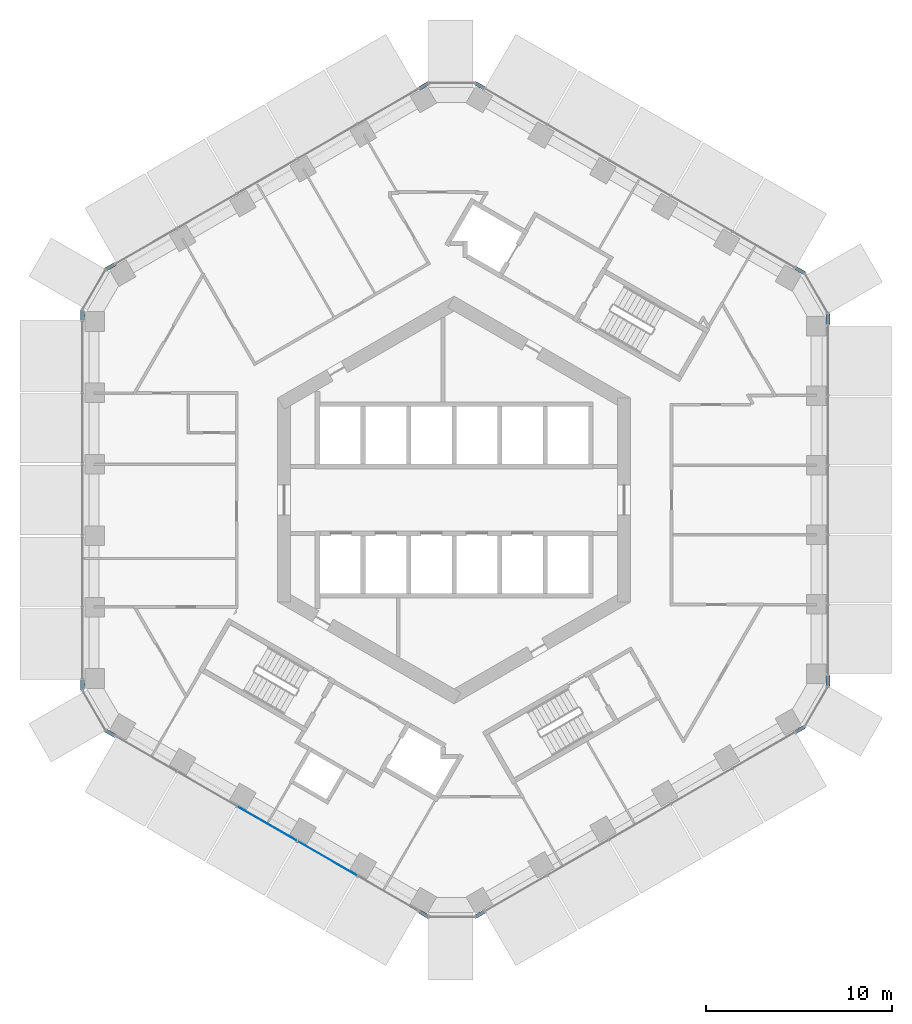
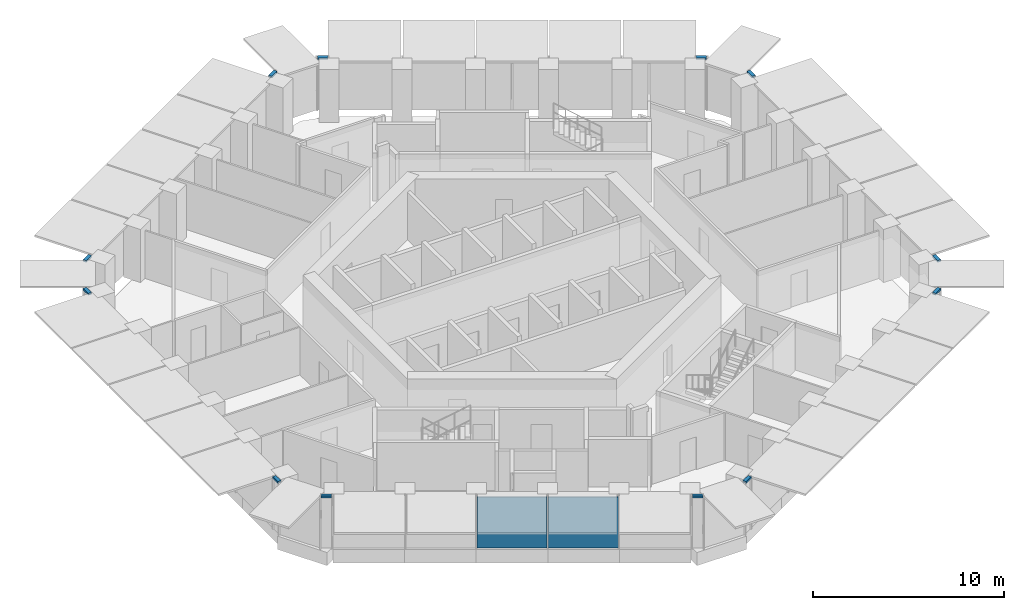
# One storey, part 7 of 18: 12 members, 2 plates, 7 elements without a shape of their own.
"""IFC4 building model written with IfcOpenShell, lengths in metres."""

from ifc_helpers import new_model, si_unit, direction, frame, origin, origin_2d, place, context, subcontext, project, spatial, rectangle, extrude, material, layer, layer_set, material_profile, profile_set, type_object, element, aggregate, save


model = new_model("IFC4")

# Units and contexts
model_context = context("Model", 3, precision=1e-05, world=origin(), true_north=direction((0.0, 1.0)))
body_context = subcontext(model_context, "Body", "Model", "MODEL_VIEW")
ifc_project = project(units=[si_unit("LENGTHUNIT", "METRE"), si_unit("AREAUNIT", "SQUARE_METRE"), si_unit("VOLUMEUNIT", "CUBIC_METRE"), si_unit("PLANEANGLEUNIT", "RADIAN"), si_unit("MASSUNIT", "GRAM", prefix="KILO")], contexts=[model_context])

# Site, building, storey
site_placement = place(None, origin())
site = spatial("IfcSite", under=ifc_project, at=site_placement, CompositionType="ELEMENT")
building_placement = place(site_placement, origin())
building = spatial("IfcBuilding", under=site, at=building_placement, Name="Ayvan Gate Tower", CompositionType="ELEMENT")
storey_placement = place(building_placement, frame((0.0, 0.0, 89.89990234375)))
storey = spatial("IfcBuildingStorey", under=building, at=storey_placement, Name="L23", CompositionType="ELEMENT", Elevation=89.89990234375)

# Curtain wall, members
ifc_material_1 = material(Name="Bronze anodised aluminium", Category="aluminium")
ifc_layer_1 = layer(ifc_material_1, 0.199951171875)
ifc_layer_set_1 = layer_set([ifc_layer_1], Name="Bronze anodised aluminium")
curtain_wall_type_1 = type_object("IfcCurtainWallType", Name="Stick curtain wall CW-6", PredefinedType="NOTDEFINED", material=ifc_layer_set_1)
curtain_wall_1_placement = place(storey_placement, origin())
curtain_wall_1 = element("IfcCurtainWall", 1, at=curtain_wall_1_placement, inside=storey, type_object=curtain_wall_type_1, Name="Stick curtain wall CW-6 L23", PredefinedType="NOTDEFINED")
ifc_material_profile = material_profile(ifc_material_1, rectangle(XDim=0.199951171875, YDim=0.1201171875, at=origin_2d()), Name="Stick curtain wall CW-6 transom 200 x 120")
ifc_profile_set = profile_set([ifc_material_profile], Name="Bronze anodised aluminium")
member_type = type_object("IfcMemberType", Name="Stick curtain wall CW-6 transom 200 x 120", PredefinedType="USERDEFINED", material=ifc_profile_set)
member_1_placement = place(storey_placement, frame((-18.250732421875, 12.6845703125, 3.340087890625), z_axis=(-0.866104278045, -0.499863360881, 0.0), x_axis=(0.499863360881, -0.866104278045, 0.0)))
member_1 = element("IfcMember", 2, at=member_1_placement, type_object=member_type, Name="CW-6 transom 1", ObjectType="TRANSOM", PredefinedType="USERDEFINED", context=body_context, shape_type="SweptSolid", body=[
    extrude(rectangle(XDim=0.199951171875, YDim=0.1201171875, at=origin_2d()), origin(), (0.0, 0.0, 1.0), 0.550048828125),
])
member_2_placement = place(storey_placement, frame((-19.991943359375, 10.21875, 3.340087890625), z_axis=(0.0, -1.0, 0.0), x_axis=(1.0, 0.0, 0.0)))
member_2 = element("IfcMember", 3, at=member_2_placement, type_object=member_type, Name="CW-6 transom 2", ObjectType="TRANSOM", PredefinedType="USERDEFINED", context=body_context, shape_type="SweptSolid", body=[
    extrude(rectangle(XDim=0.199951171875, YDim=0.1201171875, at=origin_2d()), origin(), (0.0, 0.0, 1.0), 0.550048828125),
])
aggregate(curtain_wall_1, [member_1, member_2])

curtain_wall_2_placement = place(storey_placement, origin())
curtain_wall_2 = element("IfcCurtainWall", 4, at=curtain_wall_2_placement, inside=storey, type_object=curtain_wall_type_1, Name="Stick curtain wall CW-6 L23", PredefinedType="NOTDEFINED")
member_3_placement = place(storey_placement, frame((-19.991943359375, -9.668701171875, 3.340087890625), z_axis=(0.0, -1.0, 0.0), x_axis=(1.0, 0.0, 0.0)))
member_3 = element("IfcMember", 5, at=member_3_placement, type_object=member_type, Name="CW-6 transom 1", ObjectType="TRANSOM", PredefinedType="USERDEFINED", context=body_context, shape_type="SweptSolid", body=[
    extrude(rectangle(XDim=0.199951171875, YDim=0.1201171875, at=origin_2d()), origin(), (0.0, 0.0, 1.0), 0.550048828125),
])
member_4_placement = place(storey_placement, frame((-18.72705078125, -12.40966796875, 3.340087890625), z_axis=(0.866104278045, -0.499863360881, 0.0), x_axis=(0.499863360881, 0.866104278045, 0.0)))
member_4 = element("IfcMember", 6, at=member_4_placement, type_object=member_type, Name="CW-6 transom 2", ObjectType="TRANSOM", PredefinedType="USERDEFINED", context=body_context, shape_type="SweptSolid", body=[
    extrude(rectangle(XDim=0.199951171875, YDim=0.1201171875, at=origin_2d()), origin(), (0.0, 0.0, 1.0), 0.550048828125),
])
aggregate(curtain_wall_2, [member_3, member_4])

curtain_wall_3_placement = place(storey_placement, origin())
curtain_wall_3 = element("IfcCurtainWall", 7, at=curtain_wall_3_placement, inside=storey, type_object=curtain_wall_type_1, Name="Stick curtain wall CW-6 L23", PredefinedType="NOTDEFINED")
member_5_placement = place(storey_placement, frame((-1.85986328125, -22.14794921875, 3.340087890625), z_axis=(0.866104278045, -0.499863360881, 0.0), x_axis=(0.499863360881, 0.866104278045, 0.0)))
member_5 = element("IfcMember", 8, at=member_5_placement, type_object=member_type, Name="CW-6 transom 1", ObjectType="TRANSOM", PredefinedType="USERDEFINED", context=body_context, shape_type="SweptSolid", body=[
    extrude(rectangle(XDim=0.199951171875, YDim=0.1201171875, at=origin_2d()), origin(), (0.0, 0.0, 1.0), 0.550048828125),
])
member_6_placement = place(storey_placement, frame((1.146240234375, -22.4228515625, 3.340087890625), z_axis=(0.866104278045, 0.499863360881, 0.0), x_axis=(-0.499863360881, 0.866104278045, 0.0)))
member_6 = element("IfcMember", 9, at=member_6_placement, type_object=member_type, Name="CW-6 transom 2", ObjectType="TRANSOM", PredefinedType="USERDEFINED", context=body_context, shape_type="SweptSolid", body=[
    extrude(rectangle(XDim=0.199951171875, YDim=0.1201171875, at=origin_2d()), origin(), (0.0, 0.0, 1.0), 0.550048828125),
])
aggregate(curtain_wall_3, [member_5, member_6])

curtain_wall_4_placement = place(storey_placement, origin())
curtain_wall_4 = element("IfcCurtainWall", 10, at=curtain_wall_4_placement, inside=storey, type_object=curtain_wall_type_1, Name="Stick curtain wall CW-6 L23", PredefinedType="NOTDEFINED")
member_7_placement = place(storey_placement, frame((18.369384765625, -12.47900390625, 3.340087890625), z_axis=(0.866104278045, 0.499863360881, 0.0), x_axis=(-0.499863360881, 0.866104278045, 0.0)))
member_7 = element("IfcMember", 11, at=member_7_placement, type_object=member_type, Name="CW-6 transom 1", ObjectType="TRANSOM", PredefinedType="USERDEFINED", context=body_context, shape_type="SweptSolid", body=[
    extrude(rectangle(XDim=0.199951171875, YDim=0.1201171875, at=origin_2d()), origin(), (0.0, 0.0, 1.0), 0.550048828125),
])
member_8_placement = place(storey_placement, frame((20.110595703125, -10.01318359375, 3.340087890625), z_axis=(0.0, 1.0, 0.0), x_axis=(-1.0, 0.0, 0.0)))
member_8 = element("IfcMember", 12, at=member_8_placement, type_object=member_type, Name="CW-6 transom 2", ObjectType="TRANSOM", PredefinedType="USERDEFINED", context=body_context, shape_type="SweptSolid", body=[
    extrude(rectangle(XDim=0.199951171875, YDim=0.1201171875, at=origin_2d()), origin(), (0.0, 0.0, 1.0), 0.550048828125),
])
aggregate(curtain_wall_4, [member_7, member_8])

curtain_wall_5_placement = place(storey_placement, origin())
curtain_wall_5 = element("IfcCurtainWall", 13, at=curtain_wall_5_placement, inside=storey, type_object=curtain_wall_type_1, Name="Stick curtain wall CW-6 L23", PredefinedType="NOTDEFINED")
member_9_placement = place(storey_placement, frame((20.110595703125, 9.463134765625, 3.340087890625), z_axis=(0.0, 1.0, 0.0), x_axis=(-1.0, 0.0, 0.0)))
member_9 = element("IfcMember", 14, at=member_9_placement, type_object=member_type, Name="CW-6 transom 1", ObjectType="TRANSOM", PredefinedType="USERDEFINED", context=body_context, shape_type="SweptSolid", body=[
    extrude(rectangle(XDim=0.199951171875, YDim=0.1201171875, at=origin_2d()), origin(), (0.0, 0.0, 1.0), 0.550048828125),
])
member_10_placement = place(storey_placement, frame((18.845703125, 12.2041015625, 3.340087890625), z_axis=(-0.866104278045, 0.499863360881, 0.0), x_axis=(-0.499863360881, -0.866104278045, 0.0)))
member_10 = element("IfcMember", 15, at=member_10_placement, type_object=member_type, Name="CW-6 transom 2", ObjectType="TRANSOM", PredefinedType="USERDEFINED", context=body_context, shape_type="SweptSolid", body=[
    extrude(rectangle(XDim=0.199951171875, YDim=0.1201171875, at=origin_2d()), origin(), (0.0, 0.0, 1.0), 0.550048828125),
])
aggregate(curtain_wall_5, [member_9, member_10])

curtain_wall_6_placement = place(storey_placement, origin())
curtain_wall_6 = element("IfcCurtainWall", 16, at=curtain_wall_6_placement, inside=storey, type_object=curtain_wall_type_1, Name="Stick curtain wall CW-6 L23", PredefinedType="NOTDEFINED")
member_11_placement = place(storey_placement, frame((1.62255859375, 22.14794921875, 3.340087890625), z_axis=(-0.866104278045, 0.499863360881, 0.0), x_axis=(-0.499863360881, -0.866104278045, 0.0)))
member_11 = element("IfcMember", 17, at=member_11_placement, type_object=member_type, Name="CW-6 transom 1", ObjectType="TRANSOM", PredefinedType="USERDEFINED", context=body_context, shape_type="SweptSolid", body=[
    extrude(rectangle(XDim=0.199951171875, YDim=0.1201171875, at=origin_2d()), origin(), (0.0, 0.0, 1.0), 0.550048828125),
])
member_12_placement = place(storey_placement, frame((-1.383544921875, 22.4228515625, 3.340087890625), z_axis=(-0.866104278045, -0.499863360881, 0.0), x_axis=(0.499863360881, -0.866104278045, 0.0)))
member_12 = element("IfcMember", 18, at=member_12_placement, type_object=member_type, Name="CW-6 transom 2", ObjectType="TRANSOM", PredefinedType="USERDEFINED", context=body_context, shape_type="SweptSolid", body=[
    extrude(rectangle(XDim=0.199951171875, YDim=0.1201171875, at=origin_2d()), origin(), (0.0, 0.0, 1.0), 0.550048828125),
])
aggregate(curtain_wall_6, [member_11, member_12])

# Curtain wall, plates
ifc_layer_2 = layer(ifc_material_1, 0.199951171875)
ifc_layer_set_2 = layer_set([ifc_layer_2], Name="Bronze anodised aluminium")
curtain_wall_type_2 = type_object("IfcCurtainWallType", Name="Stick curtain wall CW-1", PredefinedType="NOTDEFINED", material=ifc_layer_set_2)
curtain_wall_7_placement = place(storey_placement, origin())
curtain_wall_7 = element("IfcCurtainWall", 19, at=curtain_wall_7_placement, inside=storey, type_object=curtain_wall_type_2, Name="Stick curtain wall CW-1 L23", PredefinedType="NOTDEFINED")
ifc_material_2 = material(Name="Clear low-iron laminated glass", Category="glass")
ifc_layer_3 = layer(ifc_material_2, 0.028076171875)
ifc_layer_set_3 = layer_set([ifc_layer_3], Name="Clear low-iron laminated glass")
plate_type = type_object("IfcPlateType", Name="Stick curtain wall CW-1 glass panel", PredefinedType="CURTAIN_PANEL", material=ifc_layer_set_3)
plate_1_placement = place(storey_placement, frame((-10.054931640625, -17.41650390625, 0.0), z_axis=(0.0, 0.0, 1.0), x_axis=(0.866025403784, -0.5, 0.0)))
plate_1 = element("IfcPlate", 20, at=plate_1_placement, type_object=plate_type, Name="CW-1 glass panel 3", PredefinedType="CURTAIN_PANEL", context=body_context, shape_type="SweptSolid", body=[
    extrude(rectangle(XDim=3.678955078125, YDim=0.028076171875, at=origin_2d()), origin(), (0.0, 0.0, 1.0), 3.280029296875),
])
plate_2_placement = place(storey_placement, frame((-6.8173828125, -19.28564453125, 0.0), z_axis=(0.0, 0.0, 1.0), x_axis=(0.866025403784, -0.5, 0.0)))
plate_2 = element("IfcPlate", 21, at=plate_2_placement, type_object=plate_type, Name="CW-1 glass panel 4", PredefinedType="CURTAIN_PANEL", context=body_context, shape_type="SweptSolid", body=[
    extrude(rectangle(XDim=3.677978515625, YDim=0.028076171875, at=origin_2d()), origin(), (0.0, 0.0, 1.0), 3.280029296875),
])
aggregate(curtain_wall_7, [plate_1, plate_2])

save(model, "model.ifc")
